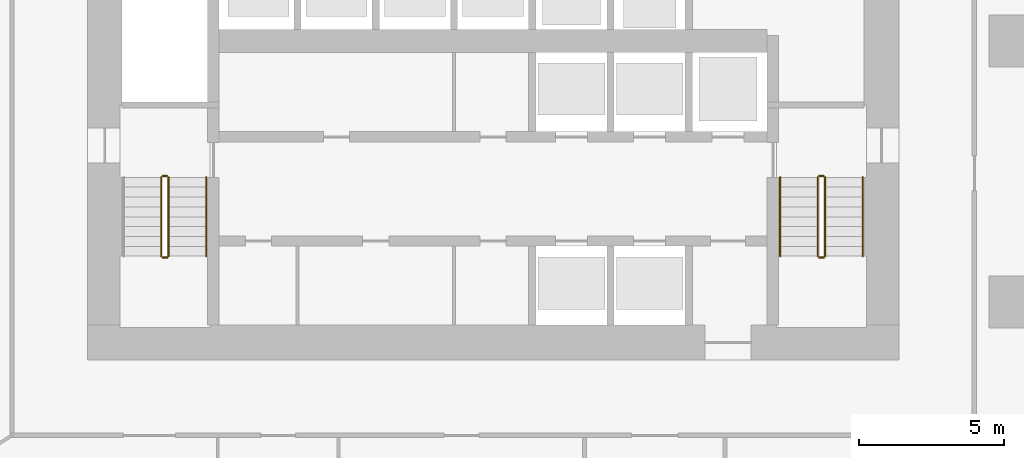
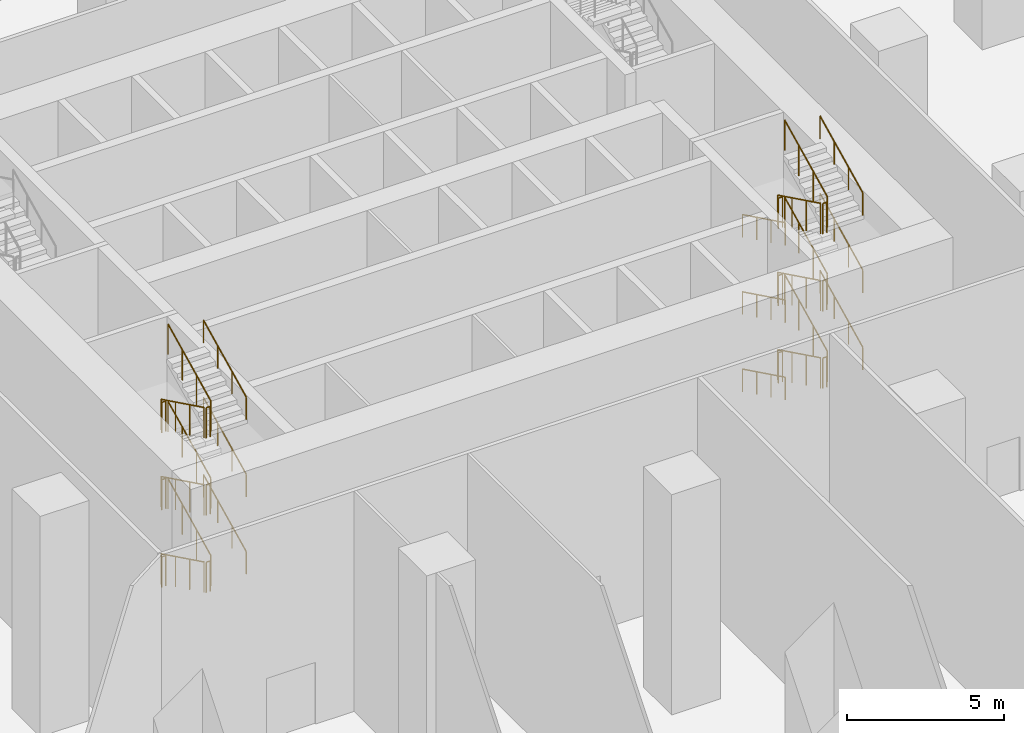
# One storey, part 37 of 40: 33 railings.
"""IFC4 building model written with IfcOpenShell, lengths in metres."""

from ifc_helpers import new_model, si_unit, direction, frame, origin, origin_2d, place, context, subcontext, project, spatial, circle, extrude, material, type_object, element, save


model = new_model("IFC4")

# Units and contexts
model_context = context("Model", 3, precision=1e-05, world=origin(), true_north=direction((0.0, 1.0)))
body_context = subcontext(model_context, "Body", "Model", "MODEL_VIEW")
ifc_project = project(units=[si_unit("LENGTHUNIT", "METRE"), si_unit("AREAUNIT", "SQUARE_METRE"), si_unit("VOLUMEUNIT", "CUBIC_METRE"), si_unit("PLANEANGLEUNIT", "RADIAN"), si_unit("MASSUNIT", "GRAM", prefix="KILO")], contexts=[model_context])

# Site, building, storey
site_placement = place(None, origin())
site = spatial("IfcSite", under=ifc_project, at=site_placement, CompositionType="ELEMENT")
building_placement = place(site_placement, origin())
building = spatial("IfcBuilding", under=site, at=building_placement, Name="Dongbaek Canopy Tower", CompositionType="ELEMENT")
storey_placement = place(building_placement, origin())
storey = spatial("IfcBuildingStorey", under=building, at=storey_placement, Name="L00", CompositionType="ELEMENT", Elevation=0.0)

# Railings
ifc_material_1 = material(Name="Stainless steel tube and balusters", Category="steel")
railing_type_1 = type_object("IfcRailingType", Name="Stair guard 1200", PredefinedType="GUARDRAIL", material=ifc_material_1)
railing_1_placement = place(storey_placement, frame((11.199951171875, -4.699951171875, 0.166748046875)))
element("IfcRailing", 1, at=railing_1_placement, inside=storey, type_object=railing_type_1, Name="L00 ST-B stair guard 1", PredefinedType="GUARDRAIL", context=body_context, shape_type="SweptSolid", body=[
    extrude(circle(Radius=0.02392578125, at=origin_2d()), frame((0.0, 0.0, 1.17578125), z_axis=(0.0, -0.897929466783, 0.4401393787), x_axis=(1.0, 0.0, 0.0)), (0.0, 0.0, 1.0), 3.029052734375),
    extrude(circle(Radius=0.02099609375, at=origin_2d()), origin(), (0.0, 0.0, 1.0), 1.15185546875),
    extrude(circle(Radius=0.02099609375, at=origin_2d()), frame((0.0, -0.90673828125, 0.4443359375)), (0.0, 0.0, 1.0), 1.15185546875),
    extrude(circle(Radius=0.02099609375, at=origin_2d()), frame((0.0, -1.813232421875, 0.888916015625)), (0.0, 0.0, 1.0), 1.15185546875),
    extrude(circle(Radius=0.02099609375, at=origin_2d()), frame((0.0, -2.719970703125, 1.333251953125)), (0.0, 0.0, 1.0), 1.15185546875),
])
railing_2_placement = place(storey_placement, frame((11.25, -7.469970703125, 1.5)))
element("IfcRailing", 2, at=railing_2_placement, inside=storey, type_object=railing_type_1, Name="L00 ST-B stair guard 2", PredefinedType="GUARDRAIL", context=body_context, shape_type="SweptSolid", body=[
    extrude(circle(Radius=0.02392578125, at=origin_2d()), frame((0.0, 0.0, 1.17578125), z_axis=(1.0, 0.0, 0.0), x_axis=(0.0, 1.0, 0.0)), (0.0, 0.0, 1.0), 0.14990234375),
    extrude(circle(Radius=0.02099609375, at=origin_2d()), origin(), (0.0, 0.0, 1.0), 1.15185546875),
    extrude(circle(Radius=0.02099609375, at=origin_2d()), frame((0.14990234375, 0.0, 0.0)), (0.0, 0.0, 1.0), 1.15185546875),
])
railing_3_placement = place(storey_placement, frame((11.449951171875, -7.419921875, 1.666748046875)))
element("IfcRailing", 3, at=railing_3_placement, inside=storey, type_object=railing_type_1, Name="L00 ST-B stair guard 3", PredefinedType="GUARDRAIL", context=body_context, shape_type="SweptSolid", body=[
    extrude(circle(Radius=0.02392578125, at=origin_2d()), frame((0.0, 0.0, 1.17578125), z_axis=(0.0, 0.897929466783, 0.4401393787), x_axis=(-1.0, 0.0, 0.0)), (0.0, 0.0, 1.0), 3.029052734375),
    extrude(circle(Radius=0.02099609375, at=origin_2d()), origin(), (0.0, 0.0, 1.0), 1.15185546875),
    extrude(circle(Radius=0.02099609375, at=origin_2d()), frame((0.0, 0.90673828125, 0.4443359375)), (0.0, 0.0, 1.0), 1.15185546875),
    extrude(circle(Radius=0.02099609375, at=origin_2d()), frame((0.0, 1.813232421875, 0.888916015625)), (0.0, 0.0, 1.0), 1.15185546875),
    extrude(circle(Radius=0.02099609375, at=origin_2d()), frame((0.0, 2.719970703125, 1.333251953125)), (0.0, 0.0, 1.0), 1.15185546875),
])
railing_4_placement = place(storey_placement, frame((11.25, -4.64990234375, 3.0)))
element("IfcRailing", 4, at=railing_4_placement, inside=storey, type_object=railing_type_1, Name="L00 ST-B stair guard 4", PredefinedType="GUARDRAIL", context=body_context, shape_type="SweptSolid", body=[
    extrude(circle(Radius=0.02392578125, at=origin_2d()), frame((0.0, 0.0, 1.17578125), z_axis=(1.0, 0.0, 0.0), x_axis=(0.0, 1.0, 0.0)), (0.0, 0.0, 1.0), 0.14990234375),
    extrude(circle(Radius=0.02099609375, at=origin_2d()), origin(), (0.0, 0.0, 1.0), 1.15185546875),
    extrude(circle(Radius=0.02099609375, at=origin_2d()), frame((0.14990234375, 0.0, 0.0)), (0.0, 0.0, 1.0), 1.15185546875),
])
railing_5_placement = place(storey_placement, frame((11.199951171875, -4.699951171875, 3.166748046875)))
element("IfcRailing", 5, at=railing_5_placement, inside=storey, type_object=railing_type_1, Name="L00 ST-B stair guard 5", PredefinedType="GUARDRAIL", context=body_context, shape_type="SweptSolid", body=[
    extrude(circle(Radius=0.02392578125, at=origin_2d()), frame((0.0, 0.0, 1.17578125), z_axis=(0.0, -0.897929466783, 0.4401393787), x_axis=(1.0, 0.0, 0.0)), (0.0, 0.0, 1.0), 3.029052734375),
    extrude(circle(Radius=0.02099609375, at=origin_2d()), origin(), (0.0, 0.0, 1.0), 1.15185546875),
    extrude(circle(Radius=0.02099609375, at=origin_2d()), frame((0.0, -0.90673828125, 0.4443359375)), (0.0, 0.0, 1.0), 1.15185546875),
    extrude(circle(Radius=0.02099609375, at=origin_2d()), frame((0.0, -1.813232421875, 0.888916015625)), (0.0, 0.0, 1.0), 1.15185546875),
    extrude(circle(Radius=0.02099609375, at=origin_2d()), frame((0.0, -2.719970703125, 1.333251953125)), (0.0, 0.0, 1.0), 1.15185546875),
])
railing_6_placement = place(storey_placement, frame((11.25, -7.469970703125, 4.5)))
element("IfcRailing", 6, at=railing_6_placement, inside=storey, type_object=railing_type_1, Name="L00 ST-B stair guard 6", PredefinedType="GUARDRAIL", context=body_context, shape_type="SweptSolid", body=[
    extrude(circle(Radius=0.02392578125, at=origin_2d()), frame((0.0, 0.0, 1.17578125), z_axis=(1.0, 0.0, 0.0), x_axis=(0.0, 1.0, 0.0)), (0.0, 0.0, 1.0), 0.14990234375),
    extrude(circle(Radius=0.02099609375, at=origin_2d()), origin(), (0.0, 0.0, 1.0), 1.15185546875),
    extrude(circle(Radius=0.02099609375, at=origin_2d()), frame((0.14990234375, 0.0, 0.0)), (0.0, 0.0, 1.0), 1.15185546875),
])
railing_7_placement = place(storey_placement, frame((11.449951171875, -7.419921875, 4.666748046875)))
element("IfcRailing", 7, at=railing_7_placement, inside=storey, type_object=railing_type_1, Name="L00 ST-B stair guard 7", PredefinedType="GUARDRAIL", context=body_context, shape_type="SweptSolid", body=[
    extrude(circle(Radius=0.02392578125, at=origin_2d()), frame((0.0, 0.0, 1.17578125), z_axis=(0.0, 0.897929466783, 0.4401393787), x_axis=(-1.0, 0.0, 0.0)), (0.0, 0.0, 1.0), 3.029052734375),
    extrude(circle(Radius=0.02099609375, at=origin_2d()), origin(), (0.0, 0.0, 1.0), 1.15185546875),
    extrude(circle(Radius=0.02099609375, at=origin_2d()), frame((0.0, 0.90673828125, 0.4443359375)), (0.0, 0.0, 1.0), 1.15185546875),
    extrude(circle(Radius=0.02099609375, at=origin_2d()), frame((0.0, 1.813232421875, 0.888916015625)), (0.0, 0.0, 1.0), 1.15185546875),
    extrude(circle(Radius=0.02099609375, at=origin_2d()), frame((0.0, 2.719970703125, 1.333251953125)), (0.0, 0.0, 1.0), 1.15185546875),
])
railing_8_placement = place(storey_placement, frame((11.25, -4.64990234375, 6.0)))
element("IfcRailing", 8, at=railing_8_placement, inside=storey, type_object=railing_type_1, Name="L00 ST-B stair guard 8", PredefinedType="GUARDRAIL", context=body_context, shape_type="SweptSolid", body=[
    extrude(circle(Radius=0.02392578125, at=origin_2d()), frame((0.0, 0.0, 1.17578125), z_axis=(1.0, 0.0, 0.0), x_axis=(0.0, 1.0, 0.0)), (0.0, 0.0, 1.0), 0.14990234375),
    extrude(circle(Radius=0.02099609375, at=origin_2d()), origin(), (0.0, 0.0, 1.0), 1.15185546875),
    extrude(circle(Radius=0.02099609375, at=origin_2d()), frame((0.14990234375, 0.0, 0.0)), (0.0, 0.0, 1.0), 1.15185546875),
])
railing_9_placement = place(storey_placement, frame((11.199951171875, -4.699951171875, 6.166748046875)))
element("IfcRailing", 9, at=railing_9_placement, inside=storey, type_object=railing_type_1, Name="L00 ST-B stair guard 9", PredefinedType="GUARDRAIL", context=body_context, shape_type="SweptSolid", body=[
    extrude(circle(Radius=0.02392578125, at=origin_2d()), frame((0.0, 0.0, 1.17578125), z_axis=(0.0, -0.897929466783, 0.4401393787), x_axis=(1.0, 0.0, 0.0)), (0.0, 0.0, 1.0), 3.029052734375),
    extrude(circle(Radius=0.02099609375, at=origin_2d()), origin(), (0.0, 0.0, 1.0), 1.15185546875),
    extrude(circle(Radius=0.02099609375, at=origin_2d()), frame((0.0, -0.90673828125, 0.4443359375)), (0.0, 0.0, 1.0), 1.15185546875),
    extrude(circle(Radius=0.02099609375, at=origin_2d()), frame((0.0, -1.813232421875, 0.888916015625)), (0.0, 0.0, 1.0), 1.15185546875),
    extrude(circle(Radius=0.02099609375, at=origin_2d()), frame((0.0, -2.719970703125, 1.333251953125)), (0.0, 0.0, 1.0), 1.15185546875),
])
railing_10_placement = place(storey_placement, frame((11.25, -7.469970703125, 7.5)))
element("IfcRailing", 10, at=railing_10_placement, inside=storey, type_object=railing_type_1, Name="L00 ST-B stair guard 10", PredefinedType="GUARDRAIL", context=body_context, shape_type="SweptSolid", body=[
    extrude(circle(Radius=0.02392578125, at=origin_2d()), frame((0.0, 0.0, 1.17578125), z_axis=(1.0, 0.0, 0.0), x_axis=(0.0, 1.0, 0.0)), (0.0, 0.0, 1.0), 0.14990234375),
    extrude(circle(Radius=0.02099609375, at=origin_2d()), origin(), (0.0, 0.0, 1.0), 1.15185546875),
    extrude(circle(Radius=0.02099609375, at=origin_2d()), frame((0.14990234375, 0.0, 0.0)), (0.0, 0.0, 1.0), 1.15185546875),
])
railing_11_placement = place(storey_placement, frame((11.449951171875, -7.419921875, 7.666748046875)))
element("IfcRailing", 11, at=railing_11_placement, inside=storey, type_object=railing_type_1, Name="L00 ST-B stair guard 11", PredefinedType="GUARDRAIL", context=body_context, shape_type="SweptSolid", body=[
    extrude(circle(Radius=0.02392578125, at=origin_2d()), frame((0.0, 0.0, 1.17578125), z_axis=(0.0, 0.897929466783, 0.4401393787), x_axis=(-1.0, 0.0, 0.0)), (0.0, 0.0, 1.0), 3.029052734375),
    extrude(circle(Radius=0.02099609375, at=origin_2d()), origin(), (0.0, 0.0, 1.0), 1.15185546875),
    extrude(circle(Radius=0.02099609375, at=origin_2d()), frame((0.0, 0.90673828125, 0.4443359375)), (0.0, 0.0, 1.0), 1.15185546875),
    extrude(circle(Radius=0.02099609375, at=origin_2d()), frame((0.0, 1.813232421875, 0.888916015625)), (0.0, 0.0, 1.0), 1.15185546875),
    extrude(circle(Radius=0.02099609375, at=origin_2d()), frame((0.0, 2.719970703125, 1.333251953125)), (0.0, 0.0, 1.0), 1.15185546875),
])
railing_12_placement = place(storey_placement, frame((11.25, -4.64990234375, 0.0)))
element("IfcRailing", 12, at=railing_12_placement, inside=storey, type_object=railing_type_1, Name="L00 ST-B stair guard 12", PredefinedType="GUARDRAIL", context=body_context, shape_type="SweptSolid", body=[
    extrude(circle(Radius=0.02392578125, at=origin_2d()), frame((0.0, 0.0, 1.17578125), z_axis=(1.0, 0.0, 0.0), x_axis=(0.0, 1.0, 0.0)), (0.0, 0.0, 1.0), 0.14990234375),
    extrude(circle(Radius=0.02099609375, at=origin_2d()), origin(), (0.0, 0.0, 1.0), 1.15185546875),
    extrude(circle(Radius=0.02099609375, at=origin_2d()), frame((0.14990234375, 0.0, 0.0)), (0.0, 0.0, 1.0), 1.15185546875),
])
railing_13_placement = place(storey_placement, frame((-11.449951171875, -4.699951171875, 0.166748046875)))
element("IfcRailing", 13, at=railing_13_placement, inside=storey, type_object=railing_type_1, Name="L00 ST-D stair guard 1", PredefinedType="GUARDRAIL", context=body_context, shape_type="SweptSolid", body=[
    extrude(circle(Radius=0.02392578125, at=origin_2d()), frame((0.0, 0.0, 1.17578125), z_axis=(0.0, -0.897929466783, 0.4401393787), x_axis=(1.0, 0.0, 0.0)), (0.0, 0.0, 1.0), 3.029052734375),
    extrude(circle(Radius=0.02099609375, at=origin_2d()), origin(), (0.0, 0.0, 1.0), 1.15185546875),
    extrude(circle(Radius=0.02099609375, at=origin_2d()), frame((0.0, -0.90673828125, 0.4443359375)), (0.0, 0.0, 1.0), 1.15185546875),
    extrude(circle(Radius=0.02099609375, at=origin_2d()), frame((0.0, -1.813232421875, 0.888916015625)), (0.0, 0.0, 1.0), 1.15185546875),
    extrude(circle(Radius=0.02099609375, at=origin_2d()), frame((0.0, -2.719970703125, 1.333251953125)), (0.0, 0.0, 1.0), 1.15185546875),
])
railing_14_placement = place(storey_placement, frame((-11.39990234375, -7.469970703125, 1.5)))
element("IfcRailing", 14, at=railing_14_placement, inside=storey, type_object=railing_type_1, Name="L00 ST-D stair guard 2", PredefinedType="GUARDRAIL", context=body_context, shape_type="SweptSolid", body=[
    extrude(circle(Radius=0.02392578125, at=origin_2d()), frame((0.0, 0.0, 1.17578125), z_axis=(1.0, 0.0, 0.0), x_axis=(0.0, 1.0, 0.0)), (0.0, 0.0, 1.0), 0.14990234375),
    extrude(circle(Radius=0.02099609375, at=origin_2d()), origin(), (0.0, 0.0, 1.0), 1.15185546875),
    extrude(circle(Radius=0.02099609375, at=origin_2d()), frame((0.14990234375, 0.0, 0.0)), (0.0, 0.0, 1.0), 1.15185546875),
])
railing_15_placement = place(storey_placement, frame((-11.199951171875, -7.419921875, 1.666748046875)))
element("IfcRailing", 15, at=railing_15_placement, inside=storey, type_object=railing_type_1, Name="L00 ST-D stair guard 3", PredefinedType="GUARDRAIL", context=body_context, shape_type="SweptSolid", body=[
    extrude(circle(Radius=0.02392578125, at=origin_2d()), frame((0.0, 0.0, 1.17578125), z_axis=(0.0, 0.897929466783, 0.4401393787), x_axis=(-1.0, 0.0, 0.0)), (0.0, 0.0, 1.0), 3.029052734375),
    extrude(circle(Radius=0.02099609375, at=origin_2d()), origin(), (0.0, 0.0, 1.0), 1.15185546875),
    extrude(circle(Radius=0.02099609375, at=origin_2d()), frame((0.0, 0.90673828125, 0.4443359375)), (0.0, 0.0, 1.0), 1.15185546875),
    extrude(circle(Radius=0.02099609375, at=origin_2d()), frame((0.0, 1.813232421875, 0.888916015625)), (0.0, 0.0, 1.0), 1.15185546875),
    extrude(circle(Radius=0.02099609375, at=origin_2d()), frame((0.0, 2.719970703125, 1.333251953125)), (0.0, 0.0, 1.0), 1.15185546875),
])
railing_16_placement = place(storey_placement, frame((-11.39990234375, -4.64990234375, 3.0)))
element("IfcRailing", 16, at=railing_16_placement, inside=storey, type_object=railing_type_1, Name="L00 ST-D stair guard 4", PredefinedType="GUARDRAIL", context=body_context, shape_type="SweptSolid", body=[
    extrude(circle(Radius=0.02392578125, at=origin_2d()), frame((0.0, 0.0, 1.17578125), z_axis=(1.0, 0.0, 0.0), x_axis=(0.0, 1.0, 0.0)), (0.0, 0.0, 1.0), 0.14990234375),
    extrude(circle(Radius=0.02099609375, at=origin_2d()), origin(), (0.0, 0.0, 1.0), 1.15185546875),
    extrude(circle(Radius=0.02099609375, at=origin_2d()), frame((0.14990234375, 0.0, 0.0)), (0.0, 0.0, 1.0), 1.15185546875),
])
railing_17_placement = place(storey_placement, frame((-11.449951171875, -4.699951171875, 3.166748046875)))
element("IfcRailing", 17, at=railing_17_placement, inside=storey, type_object=railing_type_1, Name="L00 ST-D stair guard 5", PredefinedType="GUARDRAIL", context=body_context, shape_type="SweptSolid", body=[
    extrude(circle(Radius=0.02392578125, at=origin_2d()), frame((0.0, 0.0, 1.17578125), z_axis=(0.0, -0.897929466783, 0.4401393787), x_axis=(1.0, 0.0, 0.0)), (0.0, 0.0, 1.0), 3.029052734375),
    extrude(circle(Radius=0.02099609375, at=origin_2d()), origin(), (0.0, 0.0, 1.0), 1.15185546875),
    extrude(circle(Radius=0.02099609375, at=origin_2d()), frame((0.0, -0.90673828125, 0.4443359375)), (0.0, 0.0, 1.0), 1.15185546875),
    extrude(circle(Radius=0.02099609375, at=origin_2d()), frame((0.0, -1.813232421875, 0.888916015625)), (0.0, 0.0, 1.0), 1.15185546875),
    extrude(circle(Radius=0.02099609375, at=origin_2d()), frame((0.0, -2.719970703125, 1.333251953125)), (0.0, 0.0, 1.0), 1.15185546875),
])
railing_18_placement = place(storey_placement, frame((-11.39990234375, -7.469970703125, 4.5)))
element("IfcRailing", 18, at=railing_18_placement, inside=storey, type_object=railing_type_1, Name="L00 ST-D stair guard 6", PredefinedType="GUARDRAIL", context=body_context, shape_type="SweptSolid", body=[
    extrude(circle(Radius=0.02392578125, at=origin_2d()), frame((0.0, 0.0, 1.17578125), z_axis=(1.0, 0.0, 0.0), x_axis=(0.0, 1.0, 0.0)), (0.0, 0.0, 1.0), 0.14990234375),
    extrude(circle(Radius=0.02099609375, at=origin_2d()), origin(), (0.0, 0.0, 1.0), 1.15185546875),
    extrude(circle(Radius=0.02099609375, at=origin_2d()), frame((0.14990234375, 0.0, 0.0)), (0.0, 0.0, 1.0), 1.15185546875),
])
railing_19_placement = place(storey_placement, frame((-11.199951171875, -7.419921875, 4.666748046875)))
element("IfcRailing", 19, at=railing_19_placement, inside=storey, type_object=railing_type_1, Name="L00 ST-D stair guard 7", PredefinedType="GUARDRAIL", context=body_context, shape_type="SweptSolid", body=[
    extrude(circle(Radius=0.02392578125, at=origin_2d()), frame((0.0, 0.0, 1.17578125), z_axis=(0.0, 0.897929466783, 0.4401393787), x_axis=(-1.0, 0.0, 0.0)), (0.0, 0.0, 1.0), 3.029052734375),
    extrude(circle(Radius=0.02099609375, at=origin_2d()), origin(), (0.0, 0.0, 1.0), 1.15185546875),
    extrude(circle(Radius=0.02099609375, at=origin_2d()), frame((0.0, 0.90673828125, 0.4443359375)), (0.0, 0.0, 1.0), 1.15185546875),
    extrude(circle(Radius=0.02099609375, at=origin_2d()), frame((0.0, 1.813232421875, 0.888916015625)), (0.0, 0.0, 1.0), 1.15185546875),
    extrude(circle(Radius=0.02099609375, at=origin_2d()), frame((0.0, 2.719970703125, 1.333251953125)), (0.0, 0.0, 1.0), 1.15185546875),
])
railing_20_placement = place(storey_placement, frame((-11.39990234375, -4.64990234375, 6.0)))
element("IfcRailing", 20, at=railing_20_placement, inside=storey, type_object=railing_type_1, Name="L00 ST-D stair guard 8", PredefinedType="GUARDRAIL", context=body_context, shape_type="SweptSolid", body=[
    extrude(circle(Radius=0.02392578125, at=origin_2d()), frame((0.0, 0.0, 1.17578125), z_axis=(1.0, 0.0, 0.0), x_axis=(0.0, 1.0, 0.0)), (0.0, 0.0, 1.0), 0.14990234375),
    extrude(circle(Radius=0.02099609375, at=origin_2d()), origin(), (0.0, 0.0, 1.0), 1.15185546875),
    extrude(circle(Radius=0.02099609375, at=origin_2d()), frame((0.14990234375, 0.0, 0.0)), (0.0, 0.0, 1.0), 1.15185546875),
])
railing_21_placement = place(storey_placement, frame((-11.449951171875, -4.699951171875, 6.166748046875)))
element("IfcRailing", 21, at=railing_21_placement, inside=storey, type_object=railing_type_1, Name="L00 ST-D stair guard 9", PredefinedType="GUARDRAIL", context=body_context, shape_type="SweptSolid", body=[
    extrude(circle(Radius=0.02392578125, at=origin_2d()), frame((0.0, 0.0, 1.17578125), z_axis=(0.0, -0.897929466783, 0.4401393787), x_axis=(1.0, 0.0, 0.0)), (0.0, 0.0, 1.0), 3.029052734375),
    extrude(circle(Radius=0.02099609375, at=origin_2d()), origin(), (0.0, 0.0, 1.0), 1.15185546875),
    extrude(circle(Radius=0.02099609375, at=origin_2d()), frame((0.0, -0.90673828125, 0.4443359375)), (0.0, 0.0, 1.0), 1.15185546875),
    extrude(circle(Radius=0.02099609375, at=origin_2d()), frame((0.0, -1.813232421875, 0.888916015625)), (0.0, 0.0, 1.0), 1.15185546875),
    extrude(circle(Radius=0.02099609375, at=origin_2d()), frame((0.0, -2.719970703125, 1.333251953125)), (0.0, 0.0, 1.0), 1.15185546875),
])
railing_22_placement = place(storey_placement, frame((-11.39990234375, -7.469970703125, 7.5)))
element("IfcRailing", 22, at=railing_22_placement, inside=storey, type_object=railing_type_1, Name="L00 ST-D stair guard 10", PredefinedType="GUARDRAIL", context=body_context, shape_type="SweptSolid", body=[
    extrude(circle(Radius=0.02392578125, at=origin_2d()), frame((0.0, 0.0, 1.17578125), z_axis=(1.0, 0.0, 0.0), x_axis=(0.0, 1.0, 0.0)), (0.0, 0.0, 1.0), 0.14990234375),
    extrude(circle(Radius=0.02099609375, at=origin_2d()), origin(), (0.0, 0.0, 1.0), 1.15185546875),
    extrude(circle(Radius=0.02099609375, at=origin_2d()), frame((0.14990234375, 0.0, 0.0)), (0.0, 0.0, 1.0), 1.15185546875),
])
railing_23_placement = place(storey_placement, frame((-11.199951171875, -7.419921875, 7.666748046875)))
element("IfcRailing", 23, at=railing_23_placement, inside=storey, type_object=railing_type_1, Name="L00 ST-D stair guard 11", PredefinedType="GUARDRAIL", context=body_context, shape_type="SweptSolid", body=[
    extrude(circle(Radius=0.02392578125, at=origin_2d()), frame((0.0, 0.0, 1.17578125), z_axis=(0.0, 0.897929466783, 0.4401393787), x_axis=(-1.0, 0.0, 0.0)), (0.0, 0.0, 1.0), 3.029052734375),
    extrude(circle(Radius=0.02099609375, at=origin_2d()), origin(), (0.0, 0.0, 1.0), 1.15185546875),
    extrude(circle(Radius=0.02099609375, at=origin_2d()), frame((0.0, 0.90673828125, 0.4443359375)), (0.0, 0.0, 1.0), 1.15185546875),
    extrude(circle(Radius=0.02099609375, at=origin_2d()), frame((0.0, 1.813232421875, 0.888916015625)), (0.0, 0.0, 1.0), 1.15185546875),
    extrude(circle(Radius=0.02099609375, at=origin_2d()), frame((0.0, 2.719970703125, 1.333251953125)), (0.0, 0.0, 1.0), 1.15185546875),
])
railing_24_placement = place(storey_placement, frame((-11.39990234375, -4.64990234375, 0.0)))
element("IfcRailing", 24, at=railing_24_placement, inside=storey, type_object=railing_type_1, Name="L00 ST-D stair guard 12", PredefinedType="GUARDRAIL", context=body_context, shape_type="SweptSolid", body=[
    extrude(circle(Radius=0.02392578125, at=origin_2d()), frame((0.0, 0.0, 1.17578125), z_axis=(1.0, 0.0, 0.0), x_axis=(0.0, 1.0, 0.0)), (0.0, 0.0, 1.0), 0.14990234375),
    extrude(circle(Radius=0.02099609375, at=origin_2d()), origin(), (0.0, 0.0, 1.0), 1.15185546875),
    extrude(circle(Radius=0.02099609375, at=origin_2d()), frame((0.14990234375, 0.0, 0.0)), (0.0, 0.0, 1.0), 1.15185546875),
])
ifc_material_2 = material(Name="Stainless steel tube", Category="steel")
railing_type_2 = type_object("IfcRailingType", Name="Stair handrail 900", PredefinedType="HANDRAIL", material=ifc_material_2)
railing_25_placement = place(storey_placement, frame((9.89990234375, -4.699951171875, 0.166748046875)))
element("IfcRailing", 25, at=railing_25_placement, inside=storey, type_object=railing_type_2, Name="L00 ST-B stair handrail 1", PredefinedType="HANDRAIL", context=body_context, shape_type="SweptSolid", body=[
    extrude(circle(Radius=0.02392578125, at=origin_2d()), frame((0.0, 0.0, 0.8759765625), z_axis=(0.0, -0.897929466783, 0.4401393787), x_axis=(1.0, 0.0, 0.0)), (0.0, 0.0, 1.0), 3.029052734375),
    extrude(circle(Radius=0.02099609375, at=origin_2d()), origin(), (0.0, 0.0, 1.0), 0.851806640625),
    extrude(circle(Radius=0.02099609375, at=origin_2d()), frame((0.0, -0.90673828125, 0.4443359375)), (0.0, 0.0, 1.0), 0.851806640625),
    extrude(circle(Radius=0.02099609375, at=origin_2d()), frame((0.0, -1.813232421875, 0.888916015625)), (0.0, 0.0, 1.0), 0.851806640625),
    extrude(circle(Radius=0.02099609375, at=origin_2d()), frame((0.0, -2.719970703125, 1.333251953125)), (0.0, 0.0, 1.0), 0.851806640625),
])
railing_26_placement = place(storey_placement, frame((12.75, -7.419921875, 1.666748046875)))
element("IfcRailing", 26, at=railing_26_placement, inside=storey, type_object=railing_type_2, Name="L00 ST-B stair handrail 2", PredefinedType="HANDRAIL", context=body_context, shape_type="SweptSolid", body=[
    extrude(circle(Radius=0.02392578125, at=origin_2d()), frame((0.0, 0.0, 0.8759765625), z_axis=(0.0, 0.897929466783, 0.4401393787), x_axis=(-1.0, 0.0, 0.0)), (0.0, 0.0, 1.0), 3.029052734375),
    extrude(circle(Radius=0.02099609375, at=origin_2d()), origin(), (0.0, 0.0, 1.0), 0.851806640625),
    extrude(circle(Radius=0.02099609375, at=origin_2d()), frame((0.0, 0.90673828125, 0.4443359375)), (0.0, 0.0, 1.0), 0.851806640625),
    extrude(circle(Radius=0.02099609375, at=origin_2d()), frame((0.0, 1.813232421875, 0.888916015625)), (0.0, 0.0, 1.0), 0.851806640625),
    extrude(circle(Radius=0.02099609375, at=origin_2d()), frame((0.0, 2.719970703125, 1.333251953125)), (0.0, 0.0, 1.0), 0.851806640625),
])
railing_27_placement = place(storey_placement, frame((9.89990234375, -4.699951171875, 3.166748046875)))
element("IfcRailing", 27, at=railing_27_placement, inside=storey, type_object=railing_type_2, Name="L00 ST-B stair handrail 3", PredefinedType="HANDRAIL", context=body_context, shape_type="SweptSolid", body=[
    extrude(circle(Radius=0.02392578125, at=origin_2d()), frame((0.0, 0.0, 0.8759765625), z_axis=(0.0, -0.897929466783, 0.4401393787), x_axis=(1.0, 0.0, 0.0)), (0.0, 0.0, 1.0), 3.029052734375),
    extrude(circle(Radius=0.02099609375, at=origin_2d()), origin(), (0.0, 0.0, 1.0), 0.851806640625),
    extrude(circle(Radius=0.02099609375, at=origin_2d()), frame((0.0, -0.90673828125, 0.4443359375)), (0.0, 0.0, 1.0), 0.851806640625),
    extrude(circle(Radius=0.02099609375, at=origin_2d()), frame((0.0, -1.813232421875, 0.888916015625)), (0.0, 0.0, 1.0), 0.851806640625),
    extrude(circle(Radius=0.02099609375, at=origin_2d()), frame((0.0, -2.719970703125, 1.333251953125)), (0.0, 0.0, 1.0), 0.851806640625),
])
railing_28_placement = place(storey_placement, frame((12.75, -7.419921875, 4.666748046875)))
element("IfcRailing", 28, at=railing_28_placement, inside=storey, type_object=railing_type_2, Name="L00 ST-B stair handrail 4", PredefinedType="HANDRAIL", context=body_context, shape_type="SweptSolid", body=[
    extrude(circle(Radius=0.02392578125, at=origin_2d()), frame((0.0, 0.0, 0.8759765625), z_axis=(0.0, 0.897929466783, 0.4401393787), x_axis=(-1.0, 0.0, 0.0)), (0.0, 0.0, 1.0), 3.029052734375),
    extrude(circle(Radius=0.02099609375, at=origin_2d()), origin(), (0.0, 0.0, 1.0), 0.851806640625),
    extrude(circle(Radius=0.02099609375, at=origin_2d()), frame((0.0, 0.90673828125, 0.4443359375)), (0.0, 0.0, 1.0), 0.851806640625),
    extrude(circle(Radius=0.02099609375, at=origin_2d()), frame((0.0, 1.813232421875, 0.888916015625)), (0.0, 0.0, 1.0), 0.851806640625),
    extrude(circle(Radius=0.02099609375, at=origin_2d()), frame((0.0, 2.719970703125, 1.333251953125)), (0.0, 0.0, 1.0), 0.851806640625),
])
railing_29_placement = place(storey_placement, frame((9.89990234375, -4.699951171875, 6.166748046875)))
element("IfcRailing", 29, at=railing_29_placement, inside=storey, type_object=railing_type_2, Name="L00 ST-B stair handrail 5", PredefinedType="HANDRAIL", context=body_context, shape_type="SweptSolid", body=[
    extrude(circle(Radius=0.02392578125, at=origin_2d()), frame((0.0, 0.0, 0.8759765625), z_axis=(0.0, -0.897929466783, 0.4401393787), x_axis=(1.0, 0.0, 0.0)), (0.0, 0.0, 1.0), 3.029052734375),
    extrude(circle(Radius=0.02099609375, at=origin_2d()), origin(), (0.0, 0.0, 1.0), 0.851806640625),
    extrude(circle(Radius=0.02099609375, at=origin_2d()), frame((0.0, -0.90673828125, 0.4443359375)), (0.0, 0.0, 1.0), 0.851806640625),
    extrude(circle(Radius=0.02099609375, at=origin_2d()), frame((0.0, -1.813232421875, 0.888916015625)), (0.0, 0.0, 1.0), 0.851806640625),
    extrude(circle(Radius=0.02099609375, at=origin_2d()), frame((0.0, -2.719970703125, 1.333251953125)), (0.0, 0.0, 1.0), 0.851806640625),
])
for number, where, name in (
    (30, (12.75, -7.419921875, 7.666748046875), "L00 ST-B stair handrail 6"),
    (31, (-9.89990234375, -7.419921875, 1.666748046875), "L00 ST-D stair handrail 2"),
    (32, (-9.89990234375, -7.419921875, 4.666748046875), "L00 ST-D stair handrail 4"),
    (33, (-9.89990234375, -7.419921875, 7.666748046875), "L00 ST-D stair handrail 6"),
):
    element("IfcRailing", number, at=place(storey_placement, frame(where)), inside=storey, type_object=railing_type_2, Name=name, PredefinedType="HANDRAIL", context=body_context, shape_type="SweptSolid", body=[
        extrude(circle(Radius=0.02392578125, at=origin_2d()), frame((0.0, 0.0, 0.8759765625), z_axis=(0.0, 0.897929466783, 0.4401393787), x_axis=(-1.0, 0.0, 0.0)), (0.0, 0.0, 1.0), 3.029052734375),
        extrude(circle(Radius=0.02099609375, at=origin_2d()), origin(), (0.0, 0.0, 1.0), 0.851806640625),
        extrude(circle(Radius=0.02099609375, at=origin_2d()), frame((0.0, 0.90673828125, 0.4443359375)), (0.0, 0.0, 1.0), 0.851806640625),
        extrude(circle(Radius=0.02099609375, at=origin_2d()), frame((0.0, 1.813232421875, 0.888916015625)), (0.0, 0.0, 1.0), 0.851806640625),
        extrude(circle(Radius=0.02099609375, at=origin_2d()), frame((0.0, 2.719970703125, 1.333251953125)), (0.0, 0.0, 1.0), 0.851806640625),
    ])

save(model, "model.ifc")
